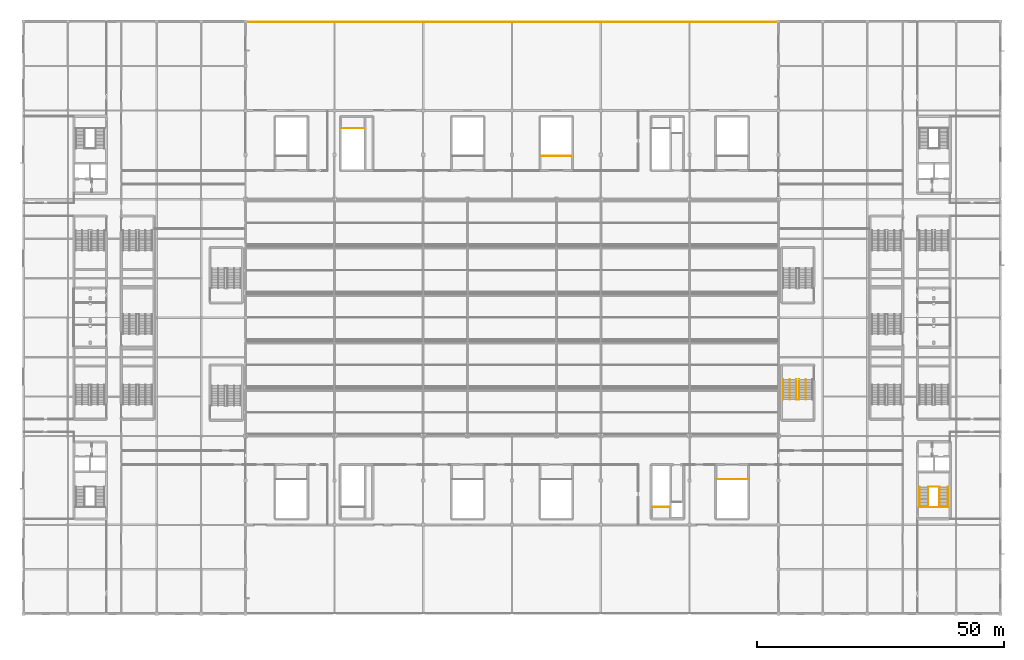
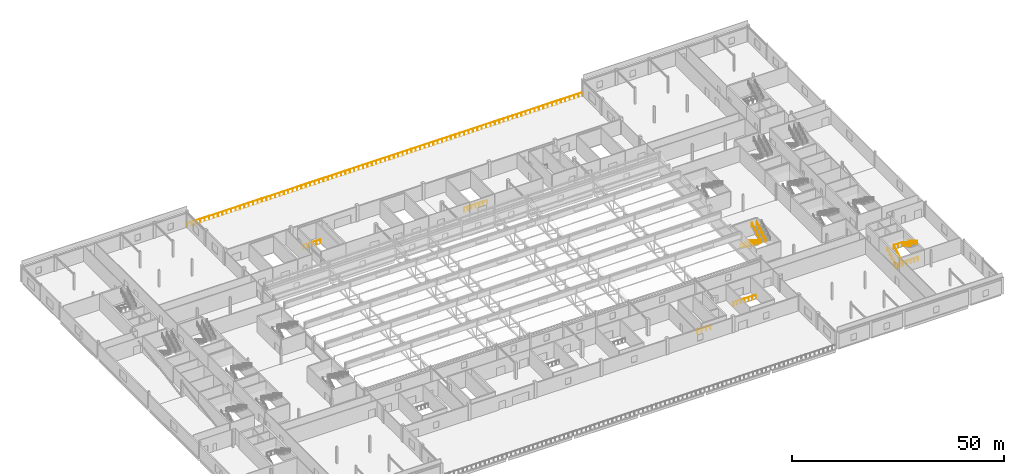
# One storey, part 131 of 136: 13 railings.
"""IFC4 building model written with IfcOpenShell, lengths in metres."""

from ifc_helpers import new_model, si_unit, direction, frame, origin, origin_2d, place, context, subcontext, project, spatial, circle, extrude, material, type_object, element, save


model = new_model("IFC4")

# Units and contexts
model_context = context("Model", 3, precision=1e-05, world=origin(), true_north=direction((0.0, 1.0)))
body_context = subcontext(model_context, "Body", "Model", "MODEL_VIEW")
ifc_project = project(units=[si_unit("LENGTHUNIT", "METRE"), si_unit("AREAUNIT", "SQUARE_METRE"), si_unit("VOLUMEUNIT", "CUBIC_METRE"), si_unit("PLANEANGLEUNIT", "RADIAN"), si_unit("MASSUNIT", "GRAM", prefix="KILO")], contexts=[model_context])

# Site, building, storey
site_placement = place(None, origin())
site = spatial("IfcSite", under=ifc_project, at=site_placement, CompositionType="ELEMENT")
building_placement = place(site_placement, origin())
building = spatial("IfcBuilding", under=site, at=building_placement, Name="Kisiwana Market Hall", CompositionType="ELEMENT")
storey_placement = place(building_placement, frame((0.0, 0.0, 16.800048828125)))
storey = spatial("IfcBuildingStorey", under=building, at=storey_placement, Name="L03", CompositionType="ELEMENT", Elevation=16.800048828125)

# Railings
ifc_material_1 = material(Name="Steel S275", Category="steel")
railing_type_1 = type_object("IfcRailingType", Name="RL-GUARD-1100", PredefinedType="GUARDRAIL", material=ifc_material_1)
railing_1_placement = place(storey_placement, frame((45.050048828125, 119.919921875, 0.0)))
element("IfcRailing", 1, at=railing_1_placement, inside=storey, type_object=railing_type_1, Name="L03 North Podium Roof Garden Guardrail 1100 RL-1697", PredefinedType="GUARDRAIL", context=body_context, shape_type="SweptSolid", body=[
    extrude(circle(Radius=0.02392578125, at=origin_2d()), frame((0.0, 0.0, 1.076171875), z_axis=(1.0, 0.0, 0.0), x_axis=(0.0, 1.0, 0.0)), (0.0, 0.0, 1.0), 107.89990234375),
    extrude(circle(Radius=0.02099609375, at=origin_2d()), origin(), (0.0, 0.0, 1.0), 1.052001953125),
    extrude(circle(Radius=0.02099609375, at=origin_2d()), frame((1.198974609375, 0.0, 0.0)), (0.0, 0.0, 1.0), 1.052001953125),
    extrude(circle(Radius=0.02099609375, at=origin_2d()), frame((2.397705078125, 0.0, 0.0)), (0.0, 0.0, 1.0), 1.052001953125),
    extrude(circle(Radius=0.02099609375, at=origin_2d()), frame((3.5966796875, 0.0, 0.0)), (0.0, 0.0, 1.0), 1.052001953125),
    extrude(circle(Radius=0.02099609375, at=origin_2d()), frame((4.795654296875, 0.0, 0.0)), (0.0, 0.0, 1.0), 1.052001953125),
    extrude(circle(Radius=0.02099609375, at=origin_2d()), frame((5.994384765625, 0.0, 0.0)), (0.0, 0.0, 1.0), 1.052001953125),
    extrude(circle(Radius=0.02099609375, at=origin_2d()), frame((7.193359375, 0.0, 0.0)), (0.0, 0.0, 1.0), 1.052001953125),
    extrude(circle(Radius=0.02099609375, at=origin_2d()), frame((8.392333984375, 0.0, 0.0)), (0.0, 0.0, 1.0), 1.052001953125),
    extrude(circle(Radius=0.02099609375, at=origin_2d()), frame((9.591064453125, 0.0, 0.0)), (0.0, 0.0, 1.0), 1.052001953125),
    extrude(circle(Radius=0.02099609375, at=origin_2d()), frame((10.7900390625, 0.0, 0.0)), (0.0, 0.0, 1.0), 1.052001953125),
    extrude(circle(Radius=0.02099609375, at=origin_2d()), frame((11.98876953125, 0.0, 0.0)), (0.0, 0.0, 1.0), 1.052001953125),
    extrude(circle(Radius=0.02099609375, at=origin_2d()), frame((13.187744140625, 0.0, 0.0)), (0.0, 0.0, 1.0), 1.052001953125),
    extrude(circle(Radius=0.02099609375, at=origin_2d()), frame((14.38671875, 0.0, 0.0)), (0.0, 0.0, 1.0), 1.052001953125),
    extrude(circle(Radius=0.02099609375, at=origin_2d()), frame((15.58544921875, 0.0, 0.0)), (0.0, 0.0, 1.0), 1.052001953125),
    extrude(circle(Radius=0.02099609375, at=origin_2d()), frame((16.784423828125, 0.0, 0.0)), (0.0, 0.0, 1.0), 1.052001953125),
    extrude(circle(Radius=0.02099609375, at=origin_2d()), frame((17.9833984375, 0.0, 0.0)), (0.0, 0.0, 1.0), 1.052001953125),
    extrude(circle(Radius=0.02099609375, at=origin_2d()), frame((19.18212890625, 0.0, 0.0)), (0.0, 0.0, 1.0), 1.052001953125),
    extrude(circle(Radius=0.02099609375, at=origin_2d()), frame((20.381103515625, 0.0, 0.0)), (0.0, 0.0, 1.0), 1.052001953125),
    extrude(circle(Radius=0.02099609375, at=origin_2d()), frame((21.580078125, 0.0, 0.0)), (0.0, 0.0, 1.0), 1.052001953125),
    extrude(circle(Radius=0.02099609375, at=origin_2d()), frame((22.77880859375, 0.0, 0.0)), (0.0, 0.0, 1.0), 1.052001953125),
    extrude(circle(Radius=0.02099609375, at=origin_2d()), frame((23.977783203125, 0.0, 0.0)), (0.0, 0.0, 1.0), 1.052001953125),
    extrude(circle(Radius=0.02099609375, at=origin_2d()), frame((25.1767578125, 0.0, 0.0)), (0.0, 0.0, 1.0), 1.052001953125),
    extrude(circle(Radius=0.02099609375, at=origin_2d()), frame((26.37548828125, 0.0, 0.0)), (0.0, 0.0, 1.0), 1.052001953125),
    extrude(circle(Radius=0.02099609375, at=origin_2d()), frame((27.574462890625, 0.0, 0.0)), (0.0, 0.0, 1.0), 1.052001953125),
    extrude(circle(Radius=0.02099609375, at=origin_2d()), frame((28.773193359375, 0.0, 0.0)), (0.0, 0.0, 1.0), 1.052001953125),
    extrude(circle(Radius=0.02099609375, at=origin_2d()), frame((29.97216796875, 0.0, 0.0)), (0.0, 0.0, 1.0), 1.052001953125),
    extrude(circle(Radius=0.02099609375, at=origin_2d()), frame((31.171142578125, 0.0, 0.0)), (0.0, 0.0, 1.0), 1.052001953125),
    extrude(circle(Radius=0.02099609375, at=origin_2d()), frame((32.369873046875, 0.0, 0.0)), (0.0, 0.0, 1.0), 1.052001953125),
    extrude(circle(Radius=0.02099609375, at=origin_2d()), frame((33.56884765625, 0.0, 0.0)), (0.0, 0.0, 1.0), 1.052001953125),
    extrude(circle(Radius=0.02099609375, at=origin_2d()), frame((34.767822265625, 0.0, 0.0)), (0.0, 0.0, 1.0), 1.052001953125),
    extrude(circle(Radius=0.02099609375, at=origin_2d()), frame((35.966552734375, 0.0, 0.0)), (0.0, 0.0, 1.0), 1.052001953125),
    extrude(circle(Radius=0.02099609375, at=origin_2d()), frame((37.16552734375, 0.0, 0.0)), (0.0, 0.0, 1.0), 1.052001953125),
    extrude(circle(Radius=0.02099609375, at=origin_2d()), frame((38.364501953125, 0.0, 0.0)), (0.0, 0.0, 1.0), 1.052001953125),
    extrude(circle(Radius=0.02099609375, at=origin_2d()), frame((39.563232421875, 0.0, 0.0)), (0.0, 0.0, 1.0), 1.052001953125),
    extrude(circle(Radius=0.02099609375, at=origin_2d()), frame((40.76220703125, 0.0, 0.0)), (0.0, 0.0, 1.0), 1.052001953125),
    extrude(circle(Radius=0.02099609375, at=origin_2d()), frame((41.961181640625, 0.0, 0.0)), (0.0, 0.0, 1.0), 1.052001953125),
    extrude(circle(Radius=0.02099609375, at=origin_2d()), frame((43.159912109375, 0.0, 0.0)), (0.0, 0.0, 1.0), 1.052001953125),
    extrude(circle(Radius=0.02099609375, at=origin_2d()), frame((44.35888671875, 0.0, 0.0)), (0.0, 0.0, 1.0), 1.052001953125),
    extrude(circle(Radius=0.02099609375, at=origin_2d()), frame((45.5576171875, 0.0, 0.0)), (0.0, 0.0, 1.0), 1.052001953125),
    extrude(circle(Radius=0.02099609375, at=origin_2d()), frame((46.756591796875, 0.0, 0.0)), (0.0, 0.0, 1.0), 1.052001953125),
    extrude(circle(Radius=0.02099609375, at=origin_2d()), frame((47.95556640625, 0.0, 0.0)), (0.0, 0.0, 1.0), 1.052001953125),
    extrude(circle(Radius=0.02099609375, at=origin_2d()), frame((49.154296875, 0.0, 0.0)), (0.0, 0.0, 1.0), 1.052001953125),
    extrude(circle(Radius=0.02099609375, at=origin_2d()), frame((50.353271484375, 0.0, 0.0)), (0.0, 0.0, 1.0), 1.052001953125),
    extrude(circle(Radius=0.02099609375, at=origin_2d()), frame((51.55224609375, 0.0, 0.0)), (0.0, 0.0, 1.0), 1.052001953125),
    extrude(circle(Radius=0.02099609375, at=origin_2d()), frame((52.7509765625, 0.0, 0.0)), (0.0, 0.0, 1.0), 1.052001953125),
    extrude(circle(Radius=0.02099609375, at=origin_2d()), frame((53.949951171875, 0.0, 0.0)), (0.0, 0.0, 1.0), 1.052001953125),
    extrude(circle(Radius=0.02099609375, at=origin_2d()), frame((55.14892578125, 0.0, 0.0)), (0.0, 0.0, 1.0), 1.052001953125),
    extrude(circle(Radius=0.02099609375, at=origin_2d()), frame((56.34765625, 0.0, 0.0)), (0.0, 0.0, 1.0), 1.052001953125),
    extrude(circle(Radius=0.02099609375, at=origin_2d()), frame((57.546630859375, 0.0, 0.0)), (0.0, 0.0, 1.0), 1.052001953125),
    extrude(circle(Radius=0.02099609375, at=origin_2d()), frame((58.74560546875, 0.0, 0.0)), (0.0, 0.0, 1.0), 1.052001953125),
    extrude(circle(Radius=0.02099609375, at=origin_2d()), frame((59.9443359375, 0.0, 0.0)), (0.0, 0.0, 1.0), 1.052001953125),
    extrude(circle(Radius=0.02099609375, at=origin_2d()), frame((61.143310546875, 0.0, 0.0)), (0.0, 0.0, 1.0), 1.052001953125),
    extrude(circle(Radius=0.02099609375, at=origin_2d()), frame((62.34228515625, 0.0, 0.0)), (0.0, 0.0, 1.0), 1.052001953125),
    extrude(circle(Radius=0.02099609375, at=origin_2d()), frame((63.541015625, 0.0, 0.0)), (0.0, 0.0, 1.0), 1.052001953125),
    extrude(circle(Radius=0.02099609375, at=origin_2d()), frame((64.739990234375, 0.0, 0.0)), (0.0, 0.0, 1.0), 1.052001953125),
    extrude(circle(Radius=0.02099609375, at=origin_2d()), frame((65.938720703125, 0.0, 0.0)), (0.0, 0.0, 1.0), 1.052001953125),
    extrude(circle(Radius=0.02099609375, at=origin_2d()), frame((67.1376953125, 0.0, 0.0)), (0.0, 0.0, 1.0), 1.052001953125),
    extrude(circle(Radius=0.02099609375, at=origin_2d()), frame((68.336669921875, 0.0, 0.0)), (0.0, 0.0, 1.0), 1.052001953125),
    extrude(circle(Radius=0.02099609375, at=origin_2d()), frame((69.535400390625, 0.0, 0.0)), (0.0, 0.0, 1.0), 1.052001953125),
    extrude(circle(Radius=0.02099609375, at=origin_2d()), frame((70.734375, 0.0, 0.0)), (0.0, 0.0, 1.0), 1.052001953125),
    extrude(circle(Radius=0.02099609375, at=origin_2d()), frame((71.933349609375, 0.0, 0.0)), (0.0, 0.0, 1.0), 1.052001953125),
    extrude(circle(Radius=0.02099609375, at=origin_2d()), frame((73.132080078125, 0.0, 0.0)), (0.0, 0.0, 1.0), 1.052001953125),
    extrude(circle(Radius=0.02099609375, at=origin_2d()), frame((74.3310546875, 0.0, 0.0)), (0.0, 0.0, 1.0), 1.052001953125),
    extrude(circle(Radius=0.02099609375, at=origin_2d()), frame((75.530029296875, 0.0, 0.0)), (0.0, 0.0, 1.0), 1.052001953125),
    extrude(circle(Radius=0.02099609375, at=origin_2d()), frame((76.728759765625, 0.0, 0.0)), (0.0, 0.0, 1.0), 1.052001953125),
    extrude(circle(Radius=0.02099609375, at=origin_2d()), frame((77.927734375, 0.0, 0.0)), (0.0, 0.0, 1.0), 1.052001953125),
    extrude(circle(Radius=0.02099609375, at=origin_2d()), frame((79.126708984375, 0.0, 0.0)), (0.0, 0.0, 1.0), 1.052001953125),
    extrude(circle(Radius=0.02099609375, at=origin_2d()), frame((80.325439453125, 0.0, 0.0)), (0.0, 0.0, 1.0), 1.052001953125),
    extrude(circle(Radius=0.02099609375, at=origin_2d()), frame((81.5244140625, 0.0, 0.0)), (0.0, 0.0, 1.0), 1.052001953125),
    extrude(circle(Radius=0.02099609375, at=origin_2d()), frame((82.72314453125, 0.0, 0.0)), (0.0, 0.0, 1.0), 1.052001953125),
    extrude(circle(Radius=0.02099609375, at=origin_2d()), frame((83.922119140625, 0.0, 0.0)), (0.0, 0.0, 1.0), 1.052001953125),
    extrude(circle(Radius=0.02099609375, at=origin_2d()), frame((85.12109375, 0.0, 0.0)), (0.0, 0.0, 1.0), 1.052001953125),
    extrude(circle(Radius=0.02099609375, at=origin_2d()), frame((86.31982421875, 0.0, 0.0)), (0.0, 0.0, 1.0), 1.052001953125),
    extrude(circle(Radius=0.02099609375, at=origin_2d()), frame((87.518798828125, 0.0, 0.0)), (0.0, 0.0, 1.0), 1.052001953125),
    extrude(circle(Radius=0.02099609375, at=origin_2d()), frame((88.7177734375, 0.0, 0.0)), (0.0, 0.0, 1.0), 1.052001953125),
    extrude(circle(Radius=0.02099609375, at=origin_2d()), frame((89.91650390625, 0.0, 0.0)), (0.0, 0.0, 1.0), 1.052001953125),
    extrude(circle(Radius=0.02099609375, at=origin_2d()), frame((91.115478515625, 0.0, 0.0)), (0.0, 0.0, 1.0), 1.052001953125),
    extrude(circle(Radius=0.02099609375, at=origin_2d()), frame((92.314453125, 0.0, 0.0)), (0.0, 0.0, 1.0), 1.052001953125),
    extrude(circle(Radius=0.02099609375, at=origin_2d()), frame((93.51318359375, 0.0, 0.0)), (0.0, 0.0, 1.0), 1.052001953125),
    extrude(circle(Radius=0.02099609375, at=origin_2d()), frame((94.712158203125, 0.0, 0.0)), (0.0, 0.0, 1.0), 1.052001953125),
    extrude(circle(Radius=0.02099609375, at=origin_2d()), frame((95.9111328125, 0.0, 0.0)), (0.0, 0.0, 1.0), 1.052001953125),
    extrude(circle(Radius=0.02099609375, at=origin_2d()), frame((97.10986328125, 0.0, 0.0)), (0.0, 0.0, 1.0), 1.052001953125),
    extrude(circle(Radius=0.02099609375, at=origin_2d()), frame((98.308837890625, 0.0, 0.0)), (0.0, 0.0, 1.0), 1.052001953125),
    extrude(circle(Radius=0.02099609375, at=origin_2d()), frame((99.507568359375, 0.0, 0.0)), (0.0, 0.0, 1.0), 1.052001953125),
    extrude(circle(Radius=0.02099609375, at=origin_2d()), frame((100.70654296875, 0.0, 0.0)), (0.0, 0.0, 1.0), 1.052001953125),
    extrude(circle(Radius=0.02099609375, at=origin_2d()), frame((101.905517578125, 0.0, 0.0)), (0.0, 0.0, 1.0), 1.052001953125),
    extrude(circle(Radius=0.02099609375, at=origin_2d()), frame((103.104248046875, 0.0, 0.0)), (0.0, 0.0, 1.0), 1.052001953125),
    extrude(circle(Radius=0.02099609375, at=origin_2d()), frame((104.30322265625, 0.0, 0.0)), (0.0, 0.0, 1.0), 1.052001953125),
    extrude(circle(Radius=0.02099609375, at=origin_2d()), frame((105.502197265625, 0.0, 0.0)), (0.0, 0.0, 1.0), 1.052001953125),
    extrude(circle(Radius=0.02099609375, at=origin_2d()), frame((106.700927734375, 0.0, 0.0)), (0.0, 0.0, 1.0), 1.052001953125),
    extrude(circle(Radius=0.02099609375, at=origin_2d()), frame((107.89990234375, 0.0, 0.0)), (0.0, 0.0, 1.0), 1.052001953125),
])
railing_2_placement = place(storey_placement, frame((183.35009765625, 21.6494140625, 0.0)))
element("IfcRailing", 2, at=railing_2_placement, inside=storey, type_object=railing_type_1, Name="Stair ST-E2-L03 inner-well guardrail (RL-647)", PredefinedType="GUARDRAIL", context=body_context, shape_type="SweptSolid", body=[
    extrude(circle(Radius=0.02392578125, at=origin_2d()), frame((0.0, 0.0, 1.076171875), z_axis=(0.0, 0.8608543813, 0.508851387142), x_axis=(-1.0, 0.0, 0.0)), (0.0, 0.0, 1.0), 4.71630859375),
    extrude(circle(Radius=0.02392578125, at=origin_2d()), frame((0.0, 4.06005859375, 3.47607421875), z_axis=(1.0, 0.0, 0.0), x_axis=(0.0, 1.0, 0.0)), (0.0, 0.0, 1.0), 2.2998046875),
    extrude(circle(Radius=0.02392578125, at=origin_2d()), frame((2.2998046875, 4.06005859375, 3.47607421875), z_axis=(0.0, -0.860831705478, 0.508889747237), x_axis=(1.0, 0.0, 0.0)), (0.0, 0.0, 1.0), 4.716552734375),
    extrude(circle(Radius=0.02099609375, at=origin_2d()), origin(), (0.0, 0.0, 1.0), 1.052001953125),
    extrude(circle(Radius=0.02099609375, at=origin_2d()), frame((0.0, 1.01513671875, 0.60009765625)), (0.0, 0.0, 1.0), 1.052001953125),
    extrude(circle(Radius=0.02099609375, at=origin_2d()), frame((0.0, 2.030029296875, 1.199951171875)), (0.0, 0.0, 1.0), 1.052001953125),
    extrude(circle(Radius=0.02099609375, at=origin_2d()), frame((0.0, 3.044921875, 1.7998046875)), (0.0, 0.0, 1.0), 1.052001953125),
    extrude(circle(Radius=0.02099609375, at=origin_2d()), frame((0.0, 4.06005859375, 2.39990234375)), (0.0, 0.0, 1.0), 1.052001953125),
    extrude(circle(Radius=0.02099609375, at=origin_2d()), frame((1.14990234375, 4.06005859375, 2.39990234375)), (0.0, 0.0, 1.0), 1.052001953125),
    extrude(circle(Radius=0.02099609375, at=origin_2d()), frame((2.2998046875, 4.06005859375, 2.39990234375)), (0.0, 0.0, 1.0), 1.052001953125),
    extrude(circle(Radius=0.02099609375, at=origin_2d()), frame((2.2998046875, 3.044921875, 3.0)), (0.0, 0.0, 1.0), 1.052001953125),
    extrude(circle(Radius=0.02099609375, at=origin_2d()), frame((2.2998046875, 2.030029296875, 3.60009765625)), (0.0, 0.0, 1.0), 1.052001953125),
    extrude(circle(Radius=0.02099609375, at=origin_2d()), frame((2.2998046875, 1.01513671875, 4.199951171875)), (0.0, 0.0, 1.0), 1.052001953125),
    extrude(circle(Radius=0.02099609375, at=origin_2d()), frame((2.2998046875, 0.0, 4.800048828125)), (0.0, 0.0, 1.0), 1.052001953125),
])
railing_3_placement = place(storey_placement, frame((181.47998046875, 21.569580078125, 0.0)))
element("IfcRailing", 3, at=railing_3_placement, inside=storey, type_object=railing_type_1, Name="Stair ST-E2-L03 landing edge guardrail (RL-650)", PredefinedType="GUARDRAIL", context=body_context, shape_type="SweptSolid", body=[
    extrude(circle(Radius=0.02392578125, at=origin_2d()), frame((0.0, 0.0, 1.076171875), z_axis=(1.0, 0.0, 0.0), x_axis=(0.0, 1.0, 0.0)), (0.0, 0.0, 1.0), 6.0400390625),
    extrude(circle(Radius=0.02099609375, at=origin_2d()), origin(), (0.0, 0.0, 1.0), 1.052001953125),
    extrude(circle(Radius=0.02099609375, at=origin_2d()), frame((1.006591796875, 0.0, 0.0)), (0.0, 0.0, 1.0), 1.052001953125),
    extrude(circle(Radius=0.02099609375, at=origin_2d()), frame((2.013427734375, 0.0, 0.0)), (0.0, 0.0, 1.0), 1.052001953125),
    extrude(circle(Radius=0.02099609375, at=origin_2d()), frame((3.02001953125, 0.0, 0.0)), (0.0, 0.0, 1.0), 1.052001953125),
    extrude(circle(Radius=0.02099609375, at=origin_2d()), frame((4.026611328125, 0.0, 0.0)), (0.0, 0.0, 1.0), 1.052001953125),
    extrude(circle(Radius=0.02099609375, at=origin_2d()), frame((5.033447265625, 0.0, 0.0)), (0.0, 0.0, 1.0), 1.052001953125),
    extrude(circle(Radius=0.02099609375, at=origin_2d()), frame((6.0400390625, 0.0, 0.0)), (0.0, 0.0, 1.0), 1.052001953125),
])
railing_4_placement = place(storey_placement, frame((127.39990234375, 21.610107421875, 0.0)))
element("IfcRailing", 4, at=railing_4_placement, inside=storey, type_object=railing_type_1, Name="Core S2 top stairwell guardrail (L03) (RL-656)", PredefinedType="GUARDRAIL", context=body_context, shape_type="SweptSolid", body=[
    extrude(circle(Radius=0.02392578125, at=origin_2d()), frame((0.0, 0.0, 1.076171875), z_axis=(1.0, 0.0, 0.0), x_axis=(0.0, 1.0, 0.0)), (0.0, 0.0, 1.0), 3.56005859375),
    extrude(circle(Radius=0.02099609375, at=origin_2d()), origin(), (0.0, 0.0, 1.0), 1.052001953125),
    extrude(circle(Radius=0.02099609375, at=origin_2d()), frame((1.186767578125, 0.0, 0.0)), (0.0, 0.0, 1.0), 1.052001953125),
    extrude(circle(Radius=0.02099609375, at=origin_2d()), frame((2.373291015625, 0.0, 0.0)), (0.0, 0.0, 1.0), 1.052001953125),
    extrude(circle(Radius=0.02099609375, at=origin_2d()), frame((3.56005859375, 0.0, 0.0)), (0.0, 0.0, 1.0), 1.052001953125),
])
railing_5_placement = place(storey_placement, frame((64.3798828125, 98.409912109375, 0.0)))
element("IfcRailing", 5, at=railing_5_placement, inside=storey, type_object=railing_type_1, Name="Core N1 top stairwell guardrail (L03) (RL-657)", PredefinedType="GUARDRAIL", context=body_context, shape_type="SweptSolid", body=[
    extrude(circle(Radius=0.02392578125, at=origin_2d()), frame((0.0, 0.0, 1.076171875), z_axis=(1.0, 0.0, 0.0), x_axis=(0.0, 1.0, 0.0)), (0.0, 0.0, 1.0), 4.66015625),
    extrude(circle(Radius=0.02099609375, at=origin_2d()), origin(), (0.0, 0.0, 1.0), 1.052001953125),
    extrude(circle(Radius=0.02099609375, at=origin_2d()), frame((1.1650390625, 0.0, 0.0)), (0.0, 0.0, 1.0), 1.052001953125),
    extrude(circle(Radius=0.02099609375, at=origin_2d()), frame((2.330078125, 0.0, 0.0)), (0.0, 0.0, 1.0), 1.052001953125),
    extrude(circle(Radius=0.02099609375, at=origin_2d()), frame((3.4951171875, 0.0, 0.0)), (0.0, 0.0, 1.0), 1.052001953125),
    extrude(circle(Radius=0.02099609375, at=origin_2d()), frame((4.66015625, 0.0, 0.0)), (0.0, 0.0, 1.0), 1.052001953125),
])
railing_6_placement = place(storey_placement, frame((156.64990234375, 47.43994140625, 0.0)))
element("IfcRailing", 6, at=railing_6_placement, inside=storey, type_object=railing_type_1, Name="Stair ST-E9-L03 inner-well guardrail (RL-713)", PredefinedType="GUARDRAIL", context=body_context, shape_type="SweptSolid", body=[
    extrude(circle(Radius=0.02392578125, at=origin_2d()), frame((0.0, 0.0, 1.076171875), z_axis=(0.0, -0.8608543813, 0.508851387142), x_axis=(1.0, 0.0, 0.0)), (0.0, 0.0, 1.0), 4.71630859375),
    extrude(circle(Radius=0.02392578125, at=origin_2d()), frame((0.0, -4.06005859375, 3.47607421875), z_axis=(1.0, 0.0, 0.0), x_axis=(0.0, 1.0, 0.0)), (0.0, 0.0, 1.0), 0.56005859375),
    extrude(circle(Radius=0.02392578125, at=origin_2d()), frame((0.56005859375, -4.06005859375, 3.47607421875), z_axis=(0.0, 0.860831705478, 0.508889747237), x_axis=(-1.0, 0.0, 0.0)), (0.0, 0.0, 1.0), 4.716552734375),
    extrude(circle(Radius=0.02099609375, at=origin_2d()), origin(), (0.0, 0.0, 1.0), 1.052001953125),
    extrude(circle(Radius=0.02099609375, at=origin_2d()), frame((0.0, -1.01513671875, 0.60009765625)), (0.0, 0.0, 1.0), 1.052001953125),
    extrude(circle(Radius=0.02099609375, at=origin_2d()), frame((0.0, -2.030029296875, 1.199951171875)), (0.0, 0.0, 1.0), 1.052001953125),
    extrude(circle(Radius=0.02099609375, at=origin_2d()), frame((0.0, -3.044921875, 1.7998046875)), (0.0, 0.0, 1.0), 1.052001953125),
    extrude(circle(Radius=0.02099609375, at=origin_2d()), frame((0.0, -4.06005859375, 2.39990234375)), (0.0, 0.0, 1.0), 1.052001953125),
    extrude(circle(Radius=0.02099609375, at=origin_2d()), frame((0.56005859375, -4.06005859375, 2.39990234375)), (0.0, 0.0, 1.0), 1.052001953125),
    extrude(circle(Radius=0.02099609375, at=origin_2d()), frame((0.56005859375, -3.044921875, 3.0)), (0.0, 0.0, 1.0), 1.052001953125),
    extrude(circle(Radius=0.02099609375, at=origin_2d()), frame((0.56005859375, -2.030029296875, 3.60009765625)), (0.0, 0.0, 1.0), 1.052001953125),
    extrude(circle(Radius=0.02099609375, at=origin_2d()), frame((0.56005859375, -1.01513671875, 4.199951171875)), (0.0, 0.0, 1.0), 1.052001953125),
    extrude(circle(Radius=0.02099609375, at=origin_2d()), frame((0.56005859375, 0.0, 4.800048828125)), (0.0, 0.0, 1.0), 1.052001953125),
])
railing_7_placement = place(storey_placement, frame((104.8798828125, 92.739990234375, 0.0)))
element("IfcRailing", 7, at=railing_7_placement, inside=storey, type_object=railing_type_1, Name="Core N5 top stairwell guardrail (L03) (RL-748)", PredefinedType="GUARDRAIL", context=body_context, shape_type="SweptSolid", body=[
    extrude(circle(Radius=0.02392578125, at=origin_2d()), frame((0.0, 0.0, 1.076171875), z_axis=(1.0, 0.0, 0.0), x_axis=(0.0, 1.0, 0.0)), (0.0, 0.0, 1.0), 6.240234375),
    extrude(circle(Radius=0.02099609375, at=origin_2d()), origin(), (0.0, 0.0, 1.0), 1.052001953125),
    extrude(circle(Radius=0.02099609375, at=origin_2d()), frame((1.0400390625, 0.0, 0.0)), (0.0, 0.0, 1.0), 1.052001953125),
    extrude(circle(Radius=0.02099609375, at=origin_2d()), frame((2.080078125, 0.0, 0.0)), (0.0, 0.0, 1.0), 1.052001953125),
    extrude(circle(Radius=0.02099609375, at=origin_2d()), frame((3.1201171875, 0.0, 0.0)), (0.0, 0.0, 1.0), 1.052001953125),
    extrude(circle(Radius=0.02099609375, at=origin_2d()), frame((4.16015625, 0.0, 0.0)), (0.0, 0.0, 1.0), 1.052001953125),
    extrude(circle(Radius=0.02099609375, at=origin_2d()), frame((5.2001953125, 0.0, 0.0)), (0.0, 0.0, 1.0), 1.052001953125),
    extrude(circle(Radius=0.02099609375, at=origin_2d()), frame((6.240234375, 0.0, 0.0)), (0.0, 0.0, 1.0), 1.052001953125),
])
railing_8_placement = place(storey_placement, frame((140.47998046875, 27.260009765625, 0.0)))
element("IfcRailing", 8, at=railing_8_placement, inside=storey, type_object=railing_type_1, Name="Core S6 top stairwell guardrail (L03) (RL-749)", PredefinedType="GUARDRAIL", context=body_context, shape_type="SweptSolid", body=[
    extrude(circle(Radius=0.02392578125, at=origin_2d()), frame((0.0, 0.0, 1.076171875), z_axis=(1.0, 0.0, 0.0), x_axis=(0.0, 1.0, 0.0)), (0.0, 0.0, 1.0), 6.239990234375),
    extrude(circle(Radius=0.02099609375, at=origin_2d()), origin(), (0.0, 0.0, 1.0), 1.052001953125),
    extrude(circle(Radius=0.02099609375, at=origin_2d()), frame((1.0400390625, 0.0, 0.0)), (0.0, 0.0, 1.0), 1.052001953125),
    extrude(circle(Radius=0.02099609375, at=origin_2d()), frame((2.080078125, 0.0, 0.0)), (0.0, 0.0, 1.0), 1.052001953125),
    extrude(circle(Radius=0.02099609375, at=origin_2d()), frame((3.1201171875, 0.0, 0.0)), (0.0, 0.0, 1.0), 1.052001953125),
    extrude(circle(Radius=0.02099609375, at=origin_2d()), frame((4.159912109375, 0.0, 0.0)), (0.0, 0.0, 1.0), 1.052001953125),
    extrude(circle(Radius=0.02099609375, at=origin_2d()), frame((5.199951171875, 0.0, 0.0)), (0.0, 0.0, 1.0), 1.052001953125),
    extrude(circle(Radius=0.02099609375, at=origin_2d()), frame((6.239990234375, 0.0, 0.0)), (0.0, 0.0, 1.0), 1.052001953125),
])
ifc_material_2 = material(Name="Steel S275", Category="steel")
railing_type_2 = type_object("IfcRailingType", Name="RL-HAND-900", PredefinedType="HANDRAIL", material=ifc_material_2)
railing_9_placement = place(storey_placement, frame((181.610107421875, 21.6494140625, 0.0)))
element("IfcRailing", 9, at=railing_9_placement, inside=storey, type_object=railing_type_2, Name="Stair ST-E2-L03 flight 1 handrail (RL-648)", PredefinedType="HANDRAIL", context=body_context, shape_type="SweptSolid", body=[
    extrude(circle(Radius=0.02392578125, at=origin_2d()), frame((0.0, 0.0, 0.8759765625), z_axis=(0.0, 0.8608543813, 0.508851387142), x_axis=(-1.0, 0.0, 0.0)), (0.0, 0.0, 1.0), 4.71630859375),
    extrude(circle(Radius=0.02099609375, at=origin_2d()), origin(), (0.0, 0.0, 1.0), 0.851806640625),
    extrude(circle(Radius=0.02099609375, at=origin_2d()), frame((0.0, 1.01513671875, 0.60009765625)), (0.0, 0.0, 1.0), 0.851806640625),
    extrude(circle(Radius=0.02099609375, at=origin_2d()), frame((0.0, 2.030029296875, 1.199951171875)), (0.0, 0.0, 1.0), 0.851806640625),
    extrude(circle(Radius=0.02099609375, at=origin_2d()), frame((0.0, 3.044921875, 1.7998046875)), (0.0, 0.0, 1.0), 0.851806640625),
    extrude(circle(Radius=0.02099609375, at=origin_2d()), frame((0.0, 4.06005859375, 2.39990234375)), (0.0, 0.0, 1.0), 0.851806640625),
])
railing_10_placement = place(storey_placement, frame((187.389892578125, 25.70947265625, 2.39990234375)))
element("IfcRailing", 10, at=railing_10_placement, inside=storey, type_object=railing_type_2, Name="Stair ST-E2-L03 flight 2 handrail (RL-649)", PredefinedType="HANDRAIL", context=body_context, shape_type="SweptSolid", body=[
    extrude(circle(Radius=0.02392578125, at=origin_2d()), frame((0.0, 0.0, 0.8759765625), z_axis=(0.0, -0.860831705478, 0.508889747237), x_axis=(1.0, 0.0, 0.0)), (0.0, 0.0, 1.0), 4.716552734375),
    extrude(circle(Radius=0.02099609375, at=origin_2d()), origin(), (0.0, 0.0, 1.0), 0.851806640625),
    extrude(circle(Radius=0.02099609375, at=origin_2d()), frame((0.0, -1.01513671875, 0.60009765625)), (0.0, 0.0, 1.0), 0.851806640625),
    extrude(circle(Radius=0.02099609375, at=origin_2d()), frame((0.0, -2.030029296875, 1.2001953125)), (0.0, 0.0, 1.0), 0.851806640625),
    extrude(circle(Radius=0.02099609375, at=origin_2d()), frame((0.0, -3.044921875, 1.800048828125)), (0.0, 0.0, 1.0), 0.851806640625),
    extrude(circle(Radius=0.02099609375, at=origin_2d()), frame((0.0, -4.06005859375, 2.400146484375)), (0.0, 0.0, 1.0), 0.851806640625),
])
for number, where, name in (
    (11, (154.0, 47.43994140625, 0.0), "Stair ST-E9-L03 flight 1 handrail (RL-714)"),
    (12, (155.320068359375, 47.43994140625, 0.0), "Stair ST-E9-L03 flight 1 intermediate handrail (RL-716)"),
):
    element("IfcRailing", number, at=place(storey_placement, frame(where)), inside=storey, type_object=railing_type_2, Name=name, PredefinedType="HANDRAIL", context=body_context, shape_type="SweptSolid", body=[
        extrude(circle(Radius=0.02392578125, at=origin_2d()), frame((0.0, 0.0, 0.8759765625), z_axis=(0.0, -0.8608543813, 0.508851387142), x_axis=(1.0, 0.0, 0.0)), (0.0, 0.0, 1.0), 4.71630859375),
        extrude(circle(Radius=0.02099609375, at=origin_2d()), origin(), (0.0, 0.0, 1.0), 0.851806640625),
        extrude(circle(Radius=0.02099609375, at=origin_2d()), frame((0.0, -1.01513671875, 0.60009765625)), (0.0, 0.0, 1.0), 0.851806640625),
        extrude(circle(Radius=0.02099609375, at=origin_2d()), frame((0.0, -2.030029296875, 1.199951171875)), (0.0, 0.0, 1.0), 0.851806640625),
        extrude(circle(Radius=0.02099609375, at=origin_2d()), frame((0.0, -3.044921875, 1.7998046875)), (0.0, 0.0, 1.0), 0.851806640625),
        extrude(circle(Radius=0.02099609375, at=origin_2d()), frame((0.0, -4.06005859375, 2.39990234375)), (0.0, 0.0, 1.0), 0.851806640625),
    ])
railing_11_placement = place(storey_placement, frame((158.5400390625, 43.3798828125, 2.39990234375)))
element("IfcRailing", 13, at=railing_11_placement, inside=storey, type_object=railing_type_2, Name="Stair ST-E9-L03 flight 2 intermediate handrail (RL-717)", PredefinedType="HANDRAIL", context=body_context, shape_type="SweptSolid", body=[
    extrude(circle(Radius=0.02392578125, at=origin_2d()), frame((0.0, 0.0, 0.8759765625), z_axis=(0.0, 0.860831705478, 0.508889747237), x_axis=(-1.0, 0.0, 0.0)), (0.0, 0.0, 1.0), 4.716552734375),
    extrude(circle(Radius=0.02099609375, at=origin_2d()), origin(), (0.0, 0.0, 1.0), 0.851806640625),
    extrude(circle(Radius=0.02099609375, at=origin_2d()), frame((0.0, 1.01513671875, 0.60009765625)), (0.0, 0.0, 1.0), 0.851806640625),
    extrude(circle(Radius=0.02099609375, at=origin_2d()), frame((0.0, 2.030029296875, 1.2001953125)), (0.0, 0.0, 1.0), 0.851806640625),
    extrude(circle(Radius=0.02099609375, at=origin_2d()), frame((0.0, 3.044921875, 1.800048828125)), (0.0, 0.0, 1.0), 0.851806640625),
    extrude(circle(Radius=0.02099609375, at=origin_2d()), frame((0.0, 4.06005859375, 2.400146484375)), (0.0, 0.0, 1.0), 0.851806640625),
])

save(model, "model.ifc")
